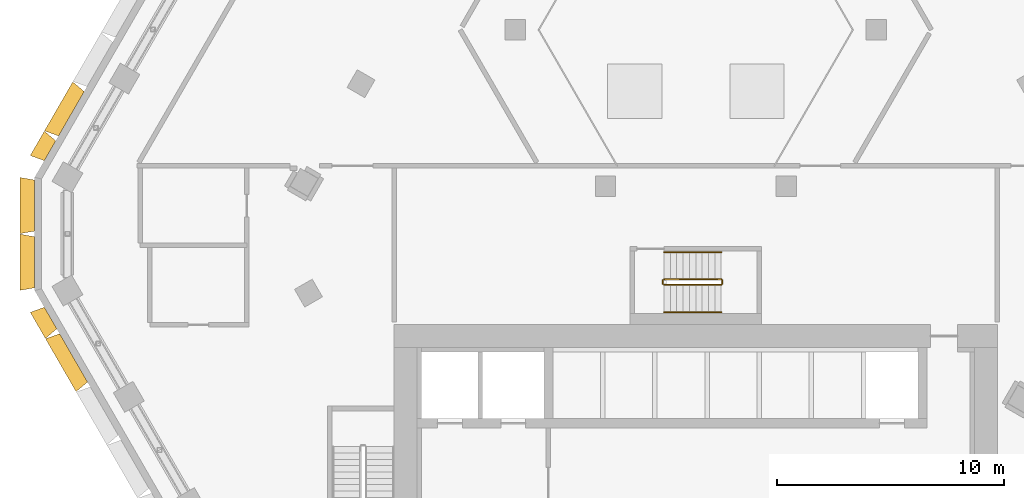
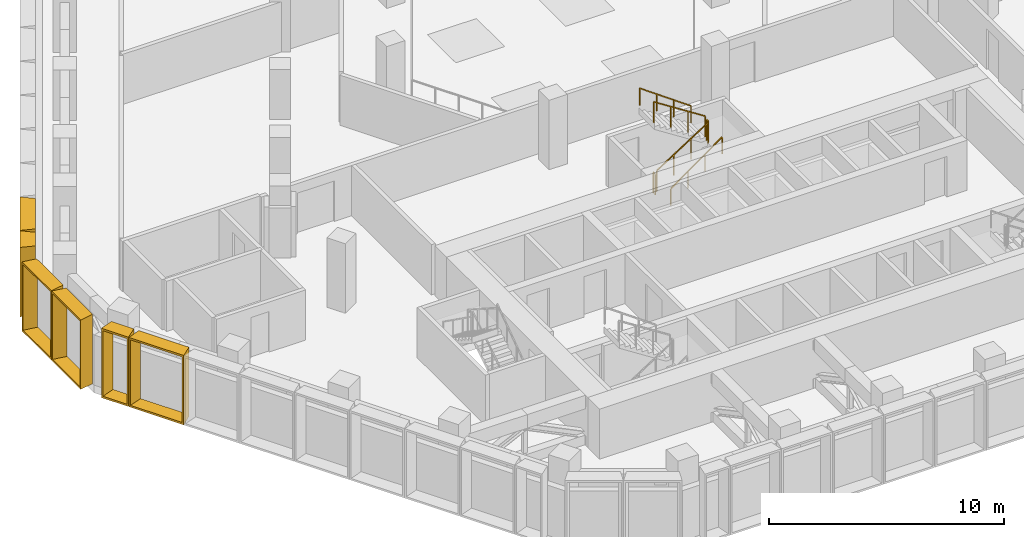
# One storey, part 21 of 23: 6 railings, 6 shading devices.
"""IFC4 building model written with IfcOpenShell, lengths in metres."""

from ifc_helpers import new_model, entity, si_unit, direction, frame, origin, origin_2d, place, context, subcontext, project, spatial, rectangle, extrude, source, transform, mapped, material, type_object, type_shapes, element, save


model = new_model("IFC4")

# Units and contexts
model_context = context("Model", 3, precision=1e-05, world=origin(), true_north=direction((0.0, 1.0)))
body_context = subcontext(model_context, "Body", "Model", "MODEL_VIEW")
ifc_project = project(units=[si_unit("LENGTHUNIT", "METRE"), si_unit("AREAUNIT", "SQUARE_METRE"), si_unit("VOLUMEUNIT", "CUBIC_METRE"), si_unit("PLANEANGLEUNIT", "RADIAN"), si_unit("MASSUNIT", "GRAM", prefix="KILO")], contexts=[model_context])

# Site, building, storey
site_placement = place(None, origin())
site = spatial("IfcSite", under=ifc_project, at=site_placement, CompositionType="ELEMENT")
building_placement = place(site_placement, origin())
building = spatial("IfcBuilding", under=site, at=building_placement, Name="Beryl Residences", CompositionType="ELEMENT")
storey_placement = place(building_placement, frame((0.0, 0.0, 108.0)))
storey = spatial("IfcBuildingStorey", under=building, at=storey_placement, Name="L33", CompositionType="ELEMENT", Elevation=108.0)

# Shading devices
ifc_material_1 = material(Name="Aluminium pale anodised", Category="aluminium")
shading_device_type_1 = type_object("IfcShadingDeviceType", Name="FR126-65A-H36 OUTER SKIN frame 650 mm deep, splay 10/10 deg, 1260 x 3600 mm cell", PredefinedType="USERDEFINED", material=ifc_material_1)
cartesian_point_1 = entity("IfcCartesianPoint", [-0.5048828125, 0.0])
cartesian_point_2 = entity("IfcCartesianPoint", [-0.423828125, 0.10009765625])
cartesian_point_3 = entity("IfcCartesianPoint", [-0.61962890625, 0.0])
cartesian_point_4 = entity("IfcCartesianPoint", [-0.538330078125, 0.10009765625])
shared_shape_1 = source(origin(), body_context, "Body", "SweptSolid", [
    entity("IfcExtrudedAreaSolidTapered", entity("IfcArbitraryProfileDefWithVoids", "AREA", None, entity("IfcPolyline", [cartesian_point_1, entity("IfcCartesianPoint", [0.5048828125, 0.0]), entity("IfcCartesianPoint", [0.5048828125, 3.60009765625]), entity("IfcCartesianPoint", [-0.5048828125, 3.60009765625]), cartesian_point_1]), [entity("IfcPolyline", [cartesian_point_2, entity("IfcCartesianPoint", [0.423828125, 0.10009765625]), entity("IfcCartesianPoint", [0.423828125, 3.5]), entity("IfcCartesianPoint", [-0.423828125, 3.5]), cartesian_point_2])]), entity("IfcAxis2Placement3D", entity("IfcCartesianPoint", [0.0, 0.0, 0.0]), entity("IfcDirection", [0.0, 1.0, 0.0]), entity("IfcDirection", [-1.0, 0.0, 0.0])), entity("IfcDirection", [0.0, 0.0, 1.0]), 0.64990234375, entity("IfcArbitraryProfileDefWithVoids", "AREA", None, entity("IfcPolyline", [cartesian_point_3, entity("IfcCartesianPoint", [0.61962890625, 0.0]), entity("IfcCartesianPoint", [0.61962890625, 3.60009765625]), entity("IfcCartesianPoint", [-0.61962890625, 3.60009765625]), cartesian_point_3]), [entity("IfcPolyline", [cartesian_point_4, entity("IfcCartesianPoint", [0.538330078125, 0.10009765625]), entity("IfcCartesianPoint", [0.538330078125, 3.5]), entity("IfcCartesianPoint", [-0.538330078125, 3.5]), cartesian_point_4])])),
])
type_shapes(shading_device_type_1, [shared_shape_1])
shading_device_1_placement = place(storey_placement, frame((-28.48193359375, 2.6689453125, 0.0), z_axis=(0.0, 0.0, 1.0), x_axis=(0.5, 0.866025403784, 0.0)))
element("IfcShadingDevice", 1, at=shading_device_1_placement, inside=storey, type_object=shading_device_type_1, Name="FR126-65A-H36 frame L33 NW 11", ObjectType="OUTER SKIN", PredefinedType="USERDEFINED", context=body_context, shape_type="MappedRepresentation", body=[
    mapped(shared_shape_1, transform((0.0, 0.0, 0.0))),
])
ifc_material_2 = material(Name="Aluminium pale anodised", Category="aluminium")
shading_device_type_2 = type_object("IfcShadingDeviceType", Name="FR135-65A-H36 OUTER SKIN frame 650 mm deep, splay 10/10 deg, 1350 x 3600 mm cell", PredefinedType="USERDEFINED", material=ifc_material_2)
cartesian_point_5 = entity("IfcCartesianPoint", [-0.550048828125, 0.0])
cartesian_point_6 = entity("IfcCartesianPoint", [-0.46875, 0.10009765625])
cartesian_point_7 = entity("IfcCartesianPoint", [-0.66455078125, 0.0])
cartesian_point_8 = entity("IfcCartesianPoint", [-0.58349609375, 0.10009765625])
shared_shape_2 = source(origin(), body_context, "Body", "SweptSolid", [
    entity("IfcExtrudedAreaSolidTapered", entity("IfcArbitraryProfileDefWithVoids", "AREA", None, entity("IfcPolyline", [cartesian_point_5, entity("IfcCartesianPoint", [0.550048828125, 0.0]), entity("IfcCartesianPoint", [0.550048828125, 3.60009765625]), entity("IfcCartesianPoint", [-0.550048828125, 3.60009765625]), cartesian_point_5]), [entity("IfcPolyline", [cartesian_point_6, entity("IfcCartesianPoint", [0.46875, 0.10009765625]), entity("IfcCartesianPoint", [0.46875, 3.5]), entity("IfcCartesianPoint", [-0.46875, 3.5]), cartesian_point_6])]), entity("IfcAxis2Placement3D", entity("IfcCartesianPoint", [0.0, 0.0, 0.0]), entity("IfcDirection", [0.0, 1.0, 0.0]), entity("IfcDirection", [-1.0, 0.0, 0.0])), entity("IfcDirection", [0.0, 0.0, 1.0]), 0.64990234375, entity("IfcArbitraryProfileDefWithVoids", "AREA", None, entity("IfcPolyline", [cartesian_point_7, entity("IfcCartesianPoint", [0.66455078125, 0.0]), entity("IfcCartesianPoint", [0.66455078125, 3.60009765625]), entity("IfcCartesianPoint", [-0.66455078125, 3.60009765625]), cartesian_point_7]), [entity("IfcPolyline", [cartesian_point_8, entity("IfcCartesianPoint", [0.58349609375, 0.10009765625]), entity("IfcCartesianPoint", [0.58349609375, 3.5]), entity("IfcCartesianPoint", [-0.58349609375, 3.5]), cartesian_point_8])])),
])
type_shapes(shading_device_type_2, [shared_shape_2])
shading_device_2_placement = place(storey_placement, frame((-28.4580078125, -4.7099609375, 0.0), z_axis=(0.0, 0.0, 1.0), x_axis=(-0.5, 0.866025403784, 0.0)))
element("IfcShadingDevice", 2, at=shading_device_2_placement, inside=storey, type_object=shading_device_type_2, Name="FR135-65A-H36 frame L33 SW 1", ObjectType="OUTER SKIN", PredefinedType="USERDEFINED", context=body_context, shape_type="MappedRepresentation", body=[
    mapped(shared_shape_2, transform((0.0, 0.0, 0.0))),
])
ifc_material_3 = material(Name="Aluminium pale anodised", Category="aluminium")
shading_device_type_3 = type_object("IfcShadingDeviceType", Name="FR250-65A-H36 OUTER SKIN frame 650 mm deep, splay 10/10 deg, 2500 x 3600 mm cell", PredefinedType="USERDEFINED", material=ifc_material_3)
cartesian_point_9 = entity("IfcCartesianPoint", [-1.125, 0.0])
cartesian_point_10 = entity("IfcCartesianPoint", [-1.043701171875, 0.10009765625])
cartesian_point_11 = entity("IfcCartesianPoint", [-1.239501953125, 0.0])
cartesian_point_12 = entity("IfcCartesianPoint", [-1.158447265625, 0.10009765625])
shared_shape_3 = source(origin(), body_context, "Body", "SweptSolid", [
    entity("IfcExtrudedAreaSolidTapered", entity("IfcArbitraryProfileDefWithVoids", "AREA", None, entity("IfcPolyline", [cartesian_point_9, entity("IfcCartesianPoint", [1.125, 0.0]), entity("IfcCartesianPoint", [1.125, 3.60009765625]), entity("IfcCartesianPoint", [-1.125, 3.60009765625]), cartesian_point_9]), [entity("IfcPolyline", [cartesian_point_10, entity("IfcCartesianPoint", [1.043701171875, 0.10009765625]), entity("IfcCartesianPoint", [1.043701171875, 3.5]), entity("IfcCartesianPoint", [-1.043701171875, 3.5]), cartesian_point_10])]), entity("IfcAxis2Placement3D", entity("IfcCartesianPoint", [0.0, 0.0, 0.0]), entity("IfcDirection", [0.0, 1.0, 0.0]), entity("IfcDirection", [-1.0, 0.0, 0.0])), entity("IfcDirection", [0.0, 0.0, 1.0]), 0.64990234375, entity("IfcArbitraryProfileDefWithVoids", "AREA", None, entity("IfcPolyline", [cartesian_point_11, entity("IfcCartesianPoint", [1.239501953125, 0.0]), entity("IfcCartesianPoint", [1.239501953125, 3.60009765625]), entity("IfcCartesianPoint", [-1.239501953125, 3.60009765625]), cartesian_point_11]), [entity("IfcPolyline", [cartesian_point_12, entity("IfcCartesianPoint", [1.158447265625, 0.10009765625]), entity("IfcCartesianPoint", [1.158447265625, 3.5]), entity("IfcCartesianPoint", [-1.158447265625, 3.5]), cartesian_point_12])])),
])
type_shapes(shading_device_type_3, [shared_shape_3])
for number, where, z_axis, x_axis, name in (
    (3, (-29.156982421875, 0.25, 0.0), (0.0, 0.0, 1.0), (0.0, 1.0, 0.0), "FR250-65A-H36 frame L33 NW-SW 1"),
    (4, (-29.156982421875, -2.25, 0.0), (0.0, 0.0, 1.0), (0.0, 1.0, 0.0), "FR250-65A-H36 frame L33 NW-SW 2"),
):
    element("IfcShadingDevice", number, at=place(storey_placement, frame(where, z_axis=z_axis, x_axis=x_axis)), inside=storey, type_object=shading_device_type_3, Name=name, ObjectType="OUTER SKIN", PredefinedType="USERDEFINED", context=body_context, shape_type="MappedRepresentation", body=[
        mapped(shared_shape_3, transform((0.0, 0.0, 0.0))),
    ])
ifc_material_4 = material(Name="Aluminium pale anodised", Category="aluminium")
shading_device_type_4 = type_object("IfcShadingDeviceType", Name="FR251-65A-H36 OUTER SKIN frame 650 mm deep, splay 10/10 deg, 2510 x 3600 mm cell", PredefinedType="USERDEFINED", material=ifc_material_4)
cartesian_point_13 = entity("IfcCartesianPoint", [-1.1298828125, 0.0])
cartesian_point_14 = entity("IfcCartesianPoint", [-1.048828125, 0.10009765625])
cartesian_point_15 = entity("IfcCartesianPoint", [-1.24462890625, 0.0])
cartesian_point_16 = entity("IfcCartesianPoint", [-1.163330078125, 0.10009765625])
shared_shape_4 = source(origin(), body_context, "Body", "SweptSolid", [
    entity("IfcExtrudedAreaSolidTapered", entity("IfcArbitraryProfileDefWithVoids", "AREA", None, entity("IfcPolyline", [cartesian_point_13, entity("IfcCartesianPoint", [1.1298828125, 0.0]), entity("IfcCartesianPoint", [1.1298828125, 3.60009765625]), entity("IfcCartesianPoint", [-1.1298828125, 3.60009765625]), cartesian_point_13]), [entity("IfcPolyline", [cartesian_point_14, entity("IfcCartesianPoint", [1.048828125, 0.10009765625]), entity("IfcCartesianPoint", [1.048828125, 3.5]), entity("IfcCartesianPoint", [-1.048828125, 3.5]), cartesian_point_14])]), entity("IfcAxis2Placement3D", entity("IfcCartesianPoint", [0.0, 0.0, 0.0]), entity("IfcDirection", [0.0, 1.0, 0.0]), entity("IfcDirection", [-1.0, 0.0, 0.0])), entity("IfcDirection", [0.0, 0.0, 1.0]), 0.64990234375, entity("IfcArbitraryProfileDefWithVoids", "AREA", None, entity("IfcPolyline", [cartesian_point_15, entity("IfcCartesianPoint", [1.24462890625, 0.0]), entity("IfcCartesianPoint", [1.24462890625, 3.60009765625]), entity("IfcCartesianPoint", [-1.24462890625, 3.60009765625]), cartesian_point_15]), [entity("IfcPolyline", [cartesian_point_16, entity("IfcCartesianPoint", [1.163330078125, 0.10009765625]), entity("IfcCartesianPoint", [1.163330078125, 3.5]), entity("IfcCartesianPoint", [-1.163330078125, 3.5]), cartesian_point_16])])),
])
type_shapes(shading_device_type_4, [shared_shape_4])
shading_device_3_placement = place(storey_placement, frame((-27.5400390625, 4.300048828125, 0.0), z_axis=(0.0, 0.0, 1.0), x_axis=(0.5, 0.866025403784, 0.0)))
element("IfcShadingDevice", 5, at=shading_device_3_placement, inside=storey, type_object=shading_device_type_4, Name="FR251-65A-H36 frame L33 NW 10", ObjectType="OUTER SKIN", PredefinedType="USERDEFINED", context=body_context, shape_type="MappedRepresentation", body=[
    mapped(shared_shape_4, transform((0.0, 0.0, 0.0))),
])
ifc_material_5 = material(Name="Aluminium pale anodised", Category="aluminium")
shading_device_type_5 = type_object("IfcShadingDeviceType", Name="FR271-65A-H36 OUTER SKIN frame 650 mm deep, splay 10/10 deg, 2710 x 3600 mm cell", PredefinedType="USERDEFINED", material=ifc_material_5)
cartesian_point_17 = entity("IfcCartesianPoint", [-1.22998046875, 0.0])
cartesian_point_18 = entity("IfcCartesianPoint", [-1.148681640625, 0.10009765625])
cartesian_point_19 = entity("IfcCartesianPoint", [-1.3447265625, 0.0])
cartesian_point_20 = entity("IfcCartesianPoint", [-1.263427734375, 0.10009765625])
shared_shape_5 = source(origin(), body_context, "Body", "SweptSolid", [
    entity("IfcExtrudedAreaSolidTapered", entity("IfcArbitraryProfileDefWithVoids", "AREA", None, entity("IfcPolyline", [cartesian_point_17, entity("IfcCartesianPoint", [1.22998046875, 0.0]), entity("IfcCartesianPoint", [1.22998046875, 3.60009765625]), entity("IfcCartesianPoint", [-1.22998046875, 3.60009765625]), cartesian_point_17]), [entity("IfcPolyline", [cartesian_point_18, entity("IfcCartesianPoint", [1.148681640625, 0.10009765625]), entity("IfcCartesianPoint", [1.148681640625, 3.5]), entity("IfcCartesianPoint", [-1.148681640625, 3.5]), cartesian_point_18])]), entity("IfcAxis2Placement3D", entity("IfcCartesianPoint", [0.0, 0.0, 0.0]), entity("IfcDirection", [0.0, 1.0, 0.0]), entity("IfcDirection", [-1.0, 0.0, 0.0])), entity("IfcDirection", [0.0, 0.0, 1.0]), 0.64990234375, entity("IfcArbitraryProfileDefWithVoids", "AREA", None, entity("IfcPolyline", [cartesian_point_19, entity("IfcCartesianPoint", [1.3447265625, 0.0]), entity("IfcCartesianPoint", [1.3447265625, 3.60009765625]), entity("IfcCartesianPoint", [-1.3447265625, 3.60009765625]), cartesian_point_19]), [entity("IfcPolyline", [cartesian_point_20, entity("IfcCartesianPoint", [1.263427734375, 0.10009765625]), entity("IfcCartesianPoint", [1.263427734375, 3.5]), entity("IfcCartesianPoint", [-1.263427734375, 3.5]), cartesian_point_20])])),
])
type_shapes(shading_device_type_5, [shared_shape_5])
shading_device_4_placement = place(storey_placement, frame((-27.443115234375, -6.468017578125, 0.0), z_axis=(0.0, 0.0, 1.0), x_axis=(-0.5, 0.866025403784, 0.0)))
element("IfcShadingDevice", 6, at=shading_device_4_placement, inside=storey, type_object=shading_device_type_5, Name="FR271-65A-H36 frame L33 SW 2", ObjectType="OUTER SKIN", PredefinedType="USERDEFINED", context=body_context, shape_type="MappedRepresentation", body=[
    mapped(shared_shape_5, transform((0.0, 0.0, 0.0))),
])

# Railings
ifc_material_6 = material(Name="Stainless steel balustrade with glass infill", Category="steel")
railing_type_1 = type_object("IfcRailingType", Name="SG1 stair guard 1100 mm", PredefinedType="GUARDRAIL", material=ifc_material_6)
railing_1_placement = place(storey_placement, frame((-1.39990234375, -3.25, 0.179931640625)))
element("IfcRailing", 7, at=railing_1_placement, inside=storey, type_object=railing_type_1, Name="L33 ST-4 stair guard 1", PredefinedType="GUARDRAIL", context=body_context, shape_type="SweptSolid", body=[
    extrude(rectangle(XDim=0.048095703125, YDim=0.048095703125, at=origin_2d()), frame((0.0, 0.0, 1.076171875), z_axis=(0.841162588446, 0.0, 0.540782303519), x_axis=(0.0, 1.0, 0.0)), (0.0, 0.0, 1.0), 2.995849609375),
    extrude(rectangle(XDim=0.0419921875, YDim=0.0419921875, at=origin_2d()), origin(), (0.0, 0.0, 1.0), 1.052001953125),
    extrude(rectangle(XDim=0.0419921875, YDim=0.0419921875, at=origin_2d()), frame((0.840087890625, 0.0, 0.5400390625)), (0.0, 0.0, 1.0), 1.052001953125),
    extrude(rectangle(XDim=0.0419921875, YDim=0.0419921875, at=origin_2d()), frame((1.679931640625, 0.0, 1.080078125)), (0.0, 0.0, 1.0), 1.052001953125),
    extrude(rectangle(XDim=0.0419921875, YDim=0.0419921875, at=origin_2d()), frame((2.52001953125, 0.0, 1.6201171875)), (0.0, 0.0, 1.0), 1.052001953125),
])
railing_2_placement = place(storey_placement, frame((1.169921875, -3.199951171875, 1.800048828125)))
element("IfcRailing", 8, at=railing_2_placement, inside=storey, type_object=railing_type_1, Name="L33 ST-4 stair guard 2", PredefinedType="GUARDRAIL", context=body_context, shape_type="SweptSolid", body=[
    extrude(rectangle(XDim=0.048095703125, YDim=0.048095703125, at=origin_2d()), frame((0.0, 0.0, 1.076171875), z_axis=(0.0, 1.0, 0.0), x_axis=(-1.0, 0.0, 0.0)), (0.0, 0.0, 1.0), 0.14990234375),
    extrude(rectangle(XDim=0.0419921875, YDim=0.0419921875, at=origin_2d()), origin(), (0.0, 0.0, 1.0), 1.052001953125),
    extrude(rectangle(XDim=0.0419921875, YDim=0.0419921875, at=origin_2d()), frame((0.0, 0.14990234375, 0.0)), (0.0, 0.0, 1.0), 1.052001953125),
])
railing_3_placement = place(storey_placement, frame((1.1201171875, -3.0, 1.97998046875)))
element("IfcRailing", 9, at=railing_3_placement, inside=storey, type_object=railing_type_1, Name="L33 ST-4 stair guard 3", PredefinedType="GUARDRAIL", context=body_context, shape_type="SweptSolid", body=[
    extrude(rectangle(XDim=0.048095703125, YDim=0.048095703125, at=origin_2d()), frame((0.0, 0.0, 1.076171875), z_axis=(-0.841162588446, 0.0, 0.540782303519), x_axis=(0.0, -1.0, 0.0)), (0.0, 0.0, 1.0), 2.995849609375),
    extrude(rectangle(XDim=0.0419921875, YDim=0.0419921875, at=origin_2d()), origin(), (0.0, 0.0, 1.0), 1.052001953125),
    extrude(rectangle(XDim=0.0419921875, YDim=0.0419921875, at=origin_2d()), frame((-0.840087890625, 0.0, 0.5400390625)), (0.0, 0.0, 1.0), 1.052001953125),
    extrude(rectangle(XDim=0.0419921875, YDim=0.0419921875, at=origin_2d()), frame((-1.679931640625, 0.0, 1.080078125)), (0.0, 0.0, 1.0), 1.052001953125),
    extrude(rectangle(XDim=0.0419921875, YDim=0.0419921875, at=origin_2d()), frame((-2.52001953125, 0.0, 1.6201171875)), (0.0, 0.0, 1.0), 1.052001953125),
])
railing_4_placement = place(storey_placement, frame((-1.449951171875, -3.199951171875, 0.0)))
element("IfcRailing", 10, at=railing_4_placement, inside=storey, type_object=railing_type_1, Name="L33 ST-4 stair guard 4", PredefinedType="GUARDRAIL", context=body_context, shape_type="SweptSolid", body=[
    extrude(rectangle(XDim=0.048095703125, YDim=0.048095703125, at=origin_2d()), frame((0.0, 0.0, 1.076171875), z_axis=(0.0, 1.0, 0.0), x_axis=(-1.0, 0.0, 0.0)), (0.0, 0.0, 1.0), 0.14990234375),
    extrude(rectangle(XDim=0.0419921875, YDim=0.0419921875, at=origin_2d()), origin(), (0.0, 0.0, 1.0), 1.052001953125),
    extrude(rectangle(XDim=0.0419921875, YDim=0.0419921875, at=origin_2d()), frame((0.0, 0.14990234375, 0.0)), (0.0, 0.0, 1.0), 1.052001953125),
])
ifc_material_7 = material(Name="Stainless steel handrail", Category="steel")
railing_type_2 = type_object("IfcRailingType", Name="SRL1 stair handrail 900 mm", PredefinedType="HANDRAIL", material=ifc_material_7)
railing_5_placement = place(storey_placement, frame((-1.39990234375, -4.449951171875, 0.179931640625)))
element("IfcRailing", 11, at=railing_5_placement, inside=storey, type_object=railing_type_2, Name="L33 ST-4 stair handrail 1", PredefinedType="HANDRAIL", context=body_context, shape_type="SweptSolid", body=[
    extrude(rectangle(XDim=0.048095703125, YDim=0.048095703125, at=origin_2d()), frame((0.0, 0.0, 0.8759765625), z_axis=(0.813728144527, 0.0, 0.581245650998), x_axis=(0.0, 1.0, 0.0)), (0.0, 0.0, 1.0), 3.096923828125),
    extrude(rectangle(XDim=0.0419921875, YDim=0.0419921875, at=origin_2d()), origin(), (0.0, 0.0, 1.0), 0.851806640625),
    extrude(rectangle(XDim=0.0419921875, YDim=0.0419921875, at=origin_2d()), frame((0.840087890625, 0.0, 0.60009765625)), (0.0, 0.0, 1.0), 0.851806640625),
    extrude(rectangle(XDim=0.0419921875, YDim=0.0419921875, at=origin_2d()), frame((1.679931640625, 0.0, 1.199951171875)), (0.0, 0.0, 1.0), 0.851806640625),
    extrude(rectangle(XDim=0.0419921875, YDim=0.0419921875, at=origin_2d()), frame((2.52001953125, 0.0, 1.800048828125)), (0.0, 0.0, 1.0), 0.851806640625),
])
railing_6_placement = place(storey_placement, frame((1.1201171875, -1.800048828125, 1.97998046875)))
element("IfcRailing", 12, at=railing_6_placement, inside=storey, type_object=railing_type_2, Name="L33 ST-4 stair handrail 2", PredefinedType="HANDRAIL", context=body_context, shape_type="SweptSolid", body=[
    extrude(rectangle(XDim=0.048095703125, YDim=0.048095703125, at=origin_2d()), frame((0.0, 0.0, 0.8759765625), z_axis=(-0.813728144527, 0.0, 0.581245650998), x_axis=(0.0, -1.0, 0.0)), (0.0, 0.0, 1.0), 3.096923828125),
    extrude(rectangle(XDim=0.0419921875, YDim=0.0419921875, at=origin_2d()), origin(), (0.0, 0.0, 1.0), 0.851806640625),
    extrude(rectangle(XDim=0.0419921875, YDim=0.0419921875, at=origin_2d()), frame((-0.840087890625, 0.0, 0.60009765625)), (0.0, 0.0, 1.0), 0.851806640625),
    extrude(rectangle(XDim=0.0419921875, YDim=0.0419921875, at=origin_2d()), frame((-1.679931640625, 0.0, 1.199951171875)), (0.0, 0.0, 1.0), 0.851806640625),
    extrude(rectangle(XDim=0.0419921875, YDim=0.0419921875, at=origin_2d()), frame((-2.52001953125, 0.0, 1.800048828125)), (0.0, 0.0, 1.0), 0.851806640625),
])

save(model, "model.ifc")
